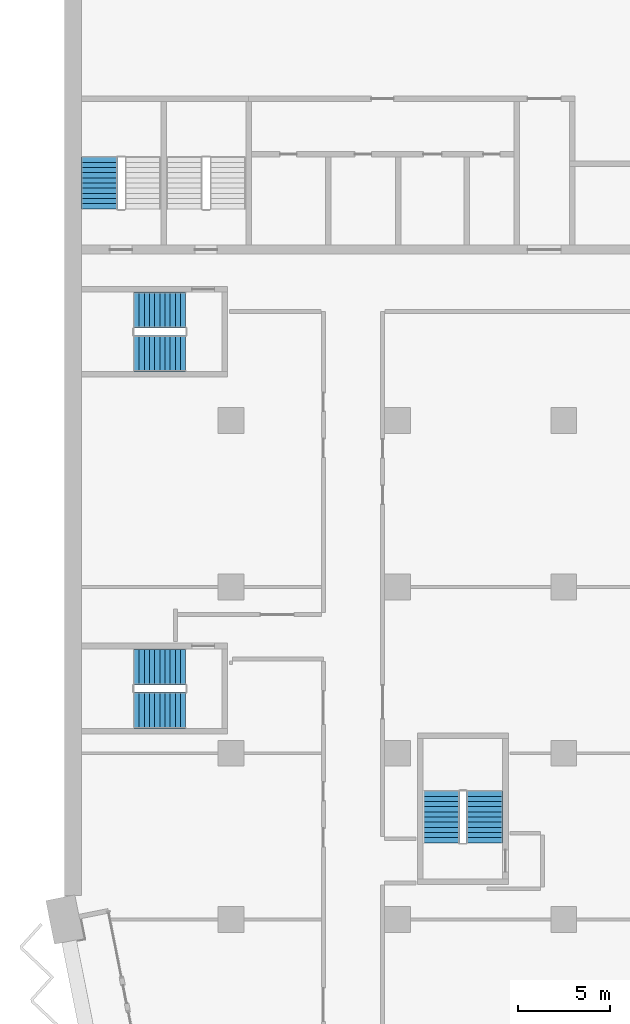
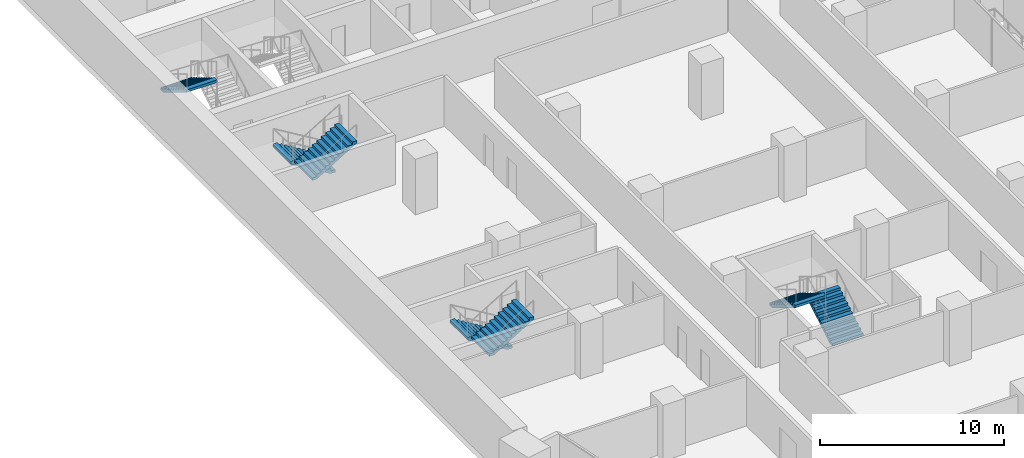
# One storey, part 19 of 28: 7 stair flights, 4 elements without a shape of their own.
"""IFC4 building model written with IfcOpenShell, lengths in metres."""

from ifc_helpers import new_model, si_unit, direction, frame, origin, place, context, subcontext, project, spatial, polyline, outline, extrude, material, type_object, element, aggregate, save


model = new_model("IFC4")

# Units and contexts
model_context = context("Model", 3, precision=1e-05, world=origin(), true_north=direction((0.0, 1.0)))
body_context = subcontext(model_context, "Body", "Model", "MODEL_VIEW")
ifc_project = project(units=[si_unit("LENGTHUNIT", "METRE"), si_unit("AREAUNIT", "SQUARE_METRE"), si_unit("VOLUMEUNIT", "CUBIC_METRE"), si_unit("PLANEANGLEUNIT", "RADIAN"), si_unit("MASSUNIT", "GRAM", prefix="KILO")], contexts=[model_context])

# Site, building, storey
site_placement = place(None, origin())
site = spatial("IfcSite", under=ifc_project, at=site_placement, CompositionType="ELEMENT")
building_placement = place(site_placement, origin())
building = spatial("IfcBuilding", under=site, at=building_placement, Name="Hunhe Ridgeline Campus", CompositionType="ELEMENT")
storey_placement = place(building_placement, frame((0.0, 0.0, 43.199951171875)))
storey = spatial("IfcBuildingStorey", under=building, at=storey_placement, Name="L09", CompositionType="ELEMENT", Elevation=43.199951171875)

# Stair, stair flight
ifc_material = material(Name="Concrete C40", Category="concrete")
stair_type = type_object("IfcStairType", Name="Reinforced concrete dog-leg stair 1950 Concrete C40", PredefinedType="HALF_TURN_STAIR", material=ifc_material)
stair_1_placement = place(storey_placement, origin())
stair_1 = element("IfcStair", 1, at=stair_1_placement, inside=storey, type_object=stair_type, Name="L09 S3", PredefinedType="HALF_TURN_STAIR")
stair_flight_type = type_object("IfcStairFlightType", Name="Reinforced concrete stair flight 1950 Concrete C40", PredefinedType="STRAIGHT", material=ifc_material)
stair_flight_1_placement = place(storey_placement, frame((1.875, 68.25, 1.85009765625), z_axis=(0.0, 0.0, 1.0), x_axis=(0.0, -1.0, 0.0)))
stair_flight_1 = element("IfcStairFlight", 2, at=stair_flight_1_placement, type_object=stair_flight_type, Name="ST3 flight 2", NumberOfRisers=11, NumberOfTreads=10, PredefinedType="STRAIGHT", RiserHeight=0.168181818, TreadLength=0.28, context=body_context, shape_type="SweptSolid", body=[
    extrude(outline(polyline([(0.0, 0.0), (0.0, 0.168212890625), (0.280029296875, 0.168212890625), (0.280029296875, 0.33642578125), (0.56005859375, 0.33642578125), (0.56005859375, 0.504638671875), (0.840087890625, 0.504638671875), (0.840087890625, 0.672607421875), (1.1201171875, 0.672607421875), (1.1201171875, 0.8408203125), (1.39990234375, 0.8408203125), (1.39990234375, 1.009033203125), (1.679931640625, 1.009033203125), (1.679931640625, 1.17724609375), (1.9599609375, 1.17724609375), (1.9599609375, 1.345458984375), (2.239990234375, 1.345458984375), (2.239990234375, 1.513671875), (2.52001953125, 1.513671875), (2.52001953125, 1.681884765625), (2.800048828125, 1.681884765625), (2.800048828125, 1.85009765625), (2.800048828125, 1.5068359375), (0.291015625, 0.0), (0.0, 0.0)])), frame((0.0, 0.97509765625, 0.0), z_axis=(0.0, -1.0, 0.0), x_axis=(1.0, 0.0, 0.0)), (0.0, 0.0, 1.0), 1.949951171875),
    extrude(outline(polyline([(0.030029296875, 0.030029296875), (0.030029296875, 0.13818359375), (0.31005859375, 0.13818359375), (0.31005859375, 0.306396484375), (0.590087890625, 0.306396484375), (0.590087890625, 0.474609375), (0.8701171875, 0.474609375), (0.8701171875, 0.642578125), (1.14990234375, 0.642578125), (1.14990234375, 0.810791015625), (1.429931640625, 0.810791015625), (1.429931640625, 0.97900390625), (1.7099609375, 0.97900390625), (1.7099609375, 1.147216796875), (1.989990234375, 1.147216796875), (1.989990234375, 1.3154296875), (2.27001953125, 1.3154296875), (2.27001953125, 1.483642578125), (2.550048828125, 1.483642578125), (2.550048828125, 1.65185546875), (2.77001953125, 1.65185546875), (2.77001953125, 1.52392578125), (0.28271484375, 0.030029296875), (0.030029296875, 0.030029296875)])), frame((0.0, -0.070068359375, 0.0), z_axis=(0.0, -1.0, 0.0), x_axis=(1.0, 0.0, 0.0)), (0.0, 0.0, 1.0), 0.019775390625),
    extrude(outline(polyline([(0.030029296875, 0.030029296875), (0.030029296875, 0.13818359375), (0.31005859375, 0.13818359375), (0.31005859375, 0.306396484375), (0.590087890625, 0.306396484375), (0.590087890625, 0.474609375), (0.8701171875, 0.474609375), (0.8701171875, 0.642578125), (1.14990234375, 0.642578125), (1.14990234375, 0.810791015625), (1.429931640625, 0.810791015625), (1.429931640625, 0.97900390625), (1.7099609375, 0.97900390625), (1.7099609375, 1.147216796875), (1.989990234375, 1.147216796875), (1.989990234375, 1.3154296875), (2.27001953125, 1.3154296875), (2.27001953125, 1.483642578125), (2.550048828125, 1.483642578125), (2.550048828125, 1.65185546875), (2.77001953125, 1.65185546875), (2.77001953125, 1.52392578125), (0.28271484375, 0.030029296875), (0.030029296875, 0.030029296875)])), frame((0.0, 0.010009765625, 0.0), z_axis=(0.0, -1.0, 0.0), x_axis=(1.0, 0.0, 0.0)), (0.0, 0.0, 1.0), 0.019775390625),
    extrude(outline(polyline([(0.030029296875, 0.030029296875), (0.030029296875, 0.13818359375), (0.31005859375, 0.13818359375), (0.31005859375, 0.306396484375), (0.590087890625, 0.306396484375), (0.590087890625, 0.474609375), (0.8701171875, 0.474609375), (0.8701171875, 0.642578125), (1.14990234375, 0.642578125), (1.14990234375, 0.810791015625), (1.429931640625, 0.810791015625), (1.429931640625, 0.97900390625), (1.7099609375, 0.97900390625), (1.7099609375, 1.147216796875), (1.989990234375, 1.147216796875), (1.989990234375, 1.3154296875), (2.27001953125, 1.3154296875), (2.27001953125, 1.483642578125), (2.550048828125, 1.483642578125), (2.550048828125, 1.65185546875), (2.77001953125, 1.65185546875), (2.77001953125, 1.52392578125), (0.28271484375, 0.030029296875), (0.030029296875, 0.030029296875)])), frame((0.0, 0.090087890625, 0.0), z_axis=(0.0, -1.0, 0.0), x_axis=(1.0, 0.0, 0.0)), (0.0, 0.0, 1.0), 0.019775390625),
])
aggregate(stair_1, [stair_flight_1])

# Stair, stair flights
stair_2_placement = place(storey_placement, origin())
stair_2 = element("IfcStair", 3, at=stair_2_placement, inside=storey, type_object=stair_type, Name="L09 W3", PredefinedType="HALF_TURN_STAIR")
stair_flight_2_placement = place(storey_placement, frame((22.72509765625, 31.14990234375, 0.0), z_axis=(0.0, 0.0, 1.0), x_axis=(0.0, 1.0, 0.0)))
stair_flight_2 = element("IfcStairFlight", 4, at=stair_flight_2_placement, type_object=stair_flight_type, Name="ST9 flight 1", NumberOfRisers=11, NumberOfTreads=10, PredefinedType="STRAIGHT", RiserHeight=0.168181818, TreadLength=0.28, context=body_context, shape_type="SweptSolid", body=[
    extrude(outline(polyline([(0.0, 0.0), (0.0, 0.168212890625), (0.280029296875, 0.168212890625), (0.280029296875, 0.33642578125), (0.56005859375, 0.33642578125), (0.56005859375, 0.504638671875), (0.840087890625, 0.504638671875), (0.840087890625, 0.672607421875), (1.1201171875, 0.672607421875), (1.1201171875, 0.8408203125), (1.39990234375, 0.8408203125), (1.39990234375, 1.009033203125), (1.679931640625, 1.009033203125), (1.679931640625, 1.17724609375), (1.9599609375, 1.17724609375), (1.9599609375, 1.345458984375), (2.239990234375, 1.345458984375), (2.239990234375, 1.513671875), (2.52001953125, 1.513671875), (2.52001953125, 1.681884765625), (2.800048828125, 1.681884765625), (2.800048828125, 1.85009765625), (2.800048828125, 1.5068359375), (0.291015625, 0.0), (0.0, 0.0)])), frame((0.0, 0.97509765625, 0.0), z_axis=(0.0, -1.0, 0.0), x_axis=(1.0, 0.0, 0.0)), (0.0, 0.0, 1.0), 1.949951171875),
    extrude(outline(polyline([(0.030029296875, 0.030029296875), (0.030029296875, 0.13818359375), (0.31005859375, 0.13818359375), (0.31005859375, 0.306396484375), (0.590087890625, 0.306396484375), (0.590087890625, 0.474609375), (0.8701171875, 0.474609375), (0.8701171875, 0.642578125), (1.14990234375, 0.642578125), (1.14990234375, 0.810791015625), (1.429931640625, 0.810791015625), (1.429931640625, 0.97900390625), (1.7099609375, 0.97900390625), (1.7099609375, 1.147216796875), (1.989990234375, 1.147216796875), (1.989990234375, 1.3154296875), (2.27001953125, 1.3154296875), (2.27001953125, 1.483642578125), (2.550048828125, 1.483642578125), (2.550048828125, 1.65185546875), (2.77001953125, 1.65185546875), (2.77001953125, 1.52392578125), (0.28271484375, 0.030029296875), (0.030029296875, 0.030029296875)])), frame((0.0, -0.070068359375, 0.0), z_axis=(0.0, -1.0, 0.0), x_axis=(1.0, 0.0, 0.0)), (0.0, 0.0, 1.0), 0.019775390625),
    extrude(outline(polyline([(0.030029296875, 0.030029296875), (0.030029296875, 0.13818359375), (0.31005859375, 0.13818359375), (0.31005859375, 0.306396484375), (0.590087890625, 0.306396484375), (0.590087890625, 0.474609375), (0.8701171875, 0.474609375), (0.8701171875, 0.642578125), (1.14990234375, 0.642578125), (1.14990234375, 0.810791015625), (1.429931640625, 0.810791015625), (1.429931640625, 0.97900390625), (1.7099609375, 0.97900390625), (1.7099609375, 1.147216796875), (1.989990234375, 1.147216796875), (1.989990234375, 1.3154296875), (2.27001953125, 1.3154296875), (2.27001953125, 1.483642578125), (2.550048828125, 1.483642578125), (2.550048828125, 1.65185546875), (2.77001953125, 1.65185546875), (2.77001953125, 1.52392578125), (0.28271484375, 0.030029296875), (0.030029296875, 0.030029296875)])), frame((0.0, 0.010009765625, 0.0), z_axis=(0.0, -1.0, 0.0), x_axis=(1.0, 0.0, 0.0)), (0.0, 0.0, 1.0), 0.019775390625),
    extrude(outline(polyline([(0.030029296875, 0.030029296875), (0.030029296875, 0.13818359375), (0.31005859375, 0.13818359375), (0.31005859375, 0.306396484375), (0.590087890625, 0.306396484375), (0.590087890625, 0.474609375), (0.8701171875, 0.474609375), (0.8701171875, 0.642578125), (1.14990234375, 0.642578125), (1.14990234375, 0.810791015625), (1.429931640625, 0.810791015625), (1.429931640625, 0.97900390625), (1.7099609375, 0.97900390625), (1.7099609375, 1.147216796875), (1.989990234375, 1.147216796875), (1.989990234375, 1.3154296875), (2.27001953125, 1.3154296875), (2.27001953125, 1.483642578125), (2.550048828125, 1.483642578125), (2.550048828125, 1.65185546875), (2.77001953125, 1.65185546875), (2.77001953125, 1.52392578125), (0.28271484375, 0.030029296875), (0.030029296875, 0.030029296875)])), frame((0.0, 0.090087890625, 0.0), z_axis=(0.0, -1.0, 0.0), x_axis=(1.0, 0.0, 0.0)), (0.0, 0.0, 1.0), 0.019775390625),
])
stair_flight_3_placement = place(storey_placement, frame((20.375, 33.949951171875, 1.85009765625), z_axis=(0.0, 0.0, 1.0), x_axis=(0.0, -1.0, 0.0)))
stair_flight_3 = element("IfcStairFlight", 5, at=stair_flight_3_placement, type_object=stair_flight_type, Name="ST9 flight 2", NumberOfRisers=11, NumberOfTreads=10, PredefinedType="STRAIGHT", RiserHeight=0.168181818, TreadLength=0.28, context=body_context, shape_type="SweptSolid", body=[
    extrude(outline(polyline([(0.0, 0.0), (0.0, 0.168212890625), (0.280029296875, 0.168212890625), (0.280029296875, 0.33642578125), (0.56005859375, 0.33642578125), (0.56005859375, 0.504638671875), (0.840087890625, 0.504638671875), (0.840087890625, 0.672607421875), (1.1201171875, 0.672607421875), (1.1201171875, 0.8408203125), (1.39990234375, 0.8408203125), (1.39990234375, 1.009033203125), (1.679931640625, 1.009033203125), (1.679931640625, 1.17724609375), (1.9599609375, 1.17724609375), (1.9599609375, 1.345458984375), (2.239990234375, 1.345458984375), (2.239990234375, 1.513671875), (2.52001953125, 1.513671875), (2.52001953125, 1.681884765625), (2.800048828125, 1.681884765625), (2.800048828125, 1.85009765625), (2.800048828125, 1.5068359375), (0.291015625, 0.0), (0.0, 0.0)])), frame((0.0, 0.97509765625, 0.0), z_axis=(0.0, -1.0, 0.0), x_axis=(1.0, 0.0, 0.0)), (0.0, 0.0, 1.0), 1.949951171875),
    extrude(outline(polyline([(0.030029296875, 0.030029296875), (0.030029296875, 0.13818359375), (0.31005859375, 0.13818359375), (0.31005859375, 0.306396484375), (0.590087890625, 0.306396484375), (0.590087890625, 0.474609375), (0.8701171875, 0.474609375), (0.8701171875, 0.642578125), (1.14990234375, 0.642578125), (1.14990234375, 0.810791015625), (1.429931640625, 0.810791015625), (1.429931640625, 0.97900390625), (1.7099609375, 0.97900390625), (1.7099609375, 1.147216796875), (1.989990234375, 1.147216796875), (1.989990234375, 1.3154296875), (2.27001953125, 1.3154296875), (2.27001953125, 1.483642578125), (2.550048828125, 1.483642578125), (2.550048828125, 1.65185546875), (2.77001953125, 1.65185546875), (2.77001953125, 1.52392578125), (0.28271484375, 0.030029296875), (0.030029296875, 0.030029296875)])), frame((0.0, -0.070068359375, 0.0), z_axis=(0.0, -1.0, 0.0), x_axis=(1.0, 0.0, 0.0)), (0.0, 0.0, 1.0), 0.019775390625),
    extrude(outline(polyline([(0.030029296875, 0.030029296875), (0.030029296875, 0.13818359375), (0.31005859375, 0.13818359375), (0.31005859375, 0.306396484375), (0.590087890625, 0.306396484375), (0.590087890625, 0.474609375), (0.8701171875, 0.474609375), (0.8701171875, 0.642578125), (1.14990234375, 0.642578125), (1.14990234375, 0.810791015625), (1.429931640625, 0.810791015625), (1.429931640625, 0.97900390625), (1.7099609375, 0.97900390625), (1.7099609375, 1.147216796875), (1.989990234375, 1.147216796875), (1.989990234375, 1.3154296875), (2.27001953125, 1.3154296875), (2.27001953125, 1.483642578125), (2.550048828125, 1.483642578125), (2.550048828125, 1.65185546875), (2.77001953125, 1.65185546875), (2.77001953125, 1.52392578125), (0.28271484375, 0.030029296875), (0.030029296875, 0.030029296875)])), frame((0.0, 0.010009765625, 0.0), z_axis=(0.0, -1.0, 0.0), x_axis=(1.0, 0.0, 0.0)), (0.0, 0.0, 1.0), 0.019775390625),
    extrude(outline(polyline([(0.030029296875, 0.030029296875), (0.030029296875, 0.13818359375), (0.31005859375, 0.13818359375), (0.31005859375, 0.306396484375), (0.590087890625, 0.306396484375), (0.590087890625, 0.474609375), (0.8701171875, 0.474609375), (0.8701171875, 0.642578125), (1.14990234375, 0.642578125), (1.14990234375, 0.810791015625), (1.429931640625, 0.810791015625), (1.429931640625, 0.97900390625), (1.7099609375, 0.97900390625), (1.7099609375, 1.147216796875), (1.989990234375, 1.147216796875), (1.989990234375, 1.3154296875), (2.27001953125, 1.3154296875), (2.27001953125, 1.483642578125), (2.550048828125, 1.483642578125), (2.550048828125, 1.65185546875), (2.77001953125, 1.65185546875), (2.77001953125, 1.52392578125), (0.28271484375, 0.030029296875), (0.030029296875, 0.030029296875)])), frame((0.0, 0.090087890625, 0.0), z_axis=(0.0, -1.0, 0.0), x_axis=(1.0, 0.0, 0.0)), (0.0, 0.0, 1.0), 0.019775390625),
])
aggregate(stair_2, [stair_flight_2, stair_flight_3])

stair_3_placement = place(storey_placement, origin())
stair_3 = element("IfcStair", 6, at=stair_3_placement, inside=storey, type_object=stair_type, Name="L09 W1", PredefinedType="HALF_TURN_STAIR")
stair_flight_4_placement = place(storey_placement, frame((6.550048828125, 40.675048828125, 0.0), z_axis=(0.0, 0.0, 1.0), x_axis=(-1.0, 0.0, 0.0)))
stair_flight_4 = element("IfcStairFlight", 7, at=stair_flight_4_placement, type_object=stair_flight_type, Name="ST11 flight 1", NumberOfRisers=11, NumberOfTreads=10, PredefinedType="STRAIGHT", RiserHeight=0.168181818, TreadLength=0.28, context=body_context, shape_type="SweptSolid", body=[
    extrude(outline(polyline([(0.0, 0.0), (0.0, 0.168212890625), (0.280029296875, 0.168212890625), (0.280029296875, 0.33642578125), (0.56005859375, 0.33642578125), (0.56005859375, 0.504638671875), (0.840087890625, 0.504638671875), (0.840087890625, 0.672607421875), (1.1201171875, 0.672607421875), (1.1201171875, 0.8408203125), (1.39990234375, 0.8408203125), (1.39990234375, 1.009033203125), (1.679931640625, 1.009033203125), (1.679931640625, 1.17724609375), (1.9599609375, 1.17724609375), (1.9599609375, 1.345458984375), (2.239990234375, 1.345458984375), (2.239990234375, 1.513671875), (2.52001953125, 1.513671875), (2.52001953125, 1.681884765625), (2.800048828125, 1.681884765625), (2.800048828125, 1.85009765625), (2.800048828125, 1.5068359375), (0.291015625, 0.0), (0.0, 0.0)])), frame((0.0, 0.97509765625, 0.0), z_axis=(0.0, -1.0, 0.0), x_axis=(1.0, 0.0, 0.0)), (0.0, 0.0, 1.0), 1.949951171875),
    extrude(outline(polyline([(0.030029296875, 0.030029296875), (0.030029296875, 0.13818359375), (0.31005859375, 0.13818359375), (0.31005859375, 0.306396484375), (0.590087890625, 0.306396484375), (0.590087890625, 0.474609375), (0.8701171875, 0.474609375), (0.8701171875, 0.642578125), (1.14990234375, 0.642578125), (1.14990234375, 0.810791015625), (1.429931640625, 0.810791015625), (1.429931640625, 0.97900390625), (1.7099609375, 0.97900390625), (1.7099609375, 1.147216796875), (1.989990234375, 1.147216796875), (1.989990234375, 1.3154296875), (2.27001953125, 1.3154296875), (2.27001953125, 1.483642578125), (2.550048828125, 1.483642578125), (2.550048828125, 1.65185546875), (2.77001953125, 1.65185546875), (2.77001953125, 1.52392578125), (0.28271484375, 0.030029296875), (0.030029296875, 0.030029296875)])), frame((0.0, -0.070068359375, 0.0), z_axis=(0.0, -1.0, 0.0), x_axis=(1.0, 0.0, 0.0)), (0.0, 0.0, 1.0), 0.019775390625),
    extrude(outline(polyline([(0.030029296875, 0.030029296875), (0.030029296875, 0.13818359375), (0.31005859375, 0.13818359375), (0.31005859375, 0.306396484375), (0.590087890625, 0.306396484375), (0.590087890625, 0.474609375), (0.8701171875, 0.474609375), (0.8701171875, 0.642578125), (1.14990234375, 0.642578125), (1.14990234375, 0.810791015625), (1.429931640625, 0.810791015625), (1.429931640625, 0.97900390625), (1.7099609375, 0.97900390625), (1.7099609375, 1.147216796875), (1.989990234375, 1.147216796875), (1.989990234375, 1.3154296875), (2.27001953125, 1.3154296875), (2.27001953125, 1.483642578125), (2.550048828125, 1.483642578125), (2.550048828125, 1.65185546875), (2.77001953125, 1.65185546875), (2.77001953125, 1.52392578125), (0.28271484375, 0.030029296875), (0.030029296875, 0.030029296875)])), frame((0.0, 0.010009765625, 0.0), z_axis=(0.0, -1.0, 0.0), x_axis=(1.0, 0.0, 0.0)), (0.0, 0.0, 1.0), 0.019775390625),
    extrude(outline(polyline([(0.030029296875, 0.030029296875), (0.030029296875, 0.13818359375), (0.31005859375, 0.13818359375), (0.31005859375, 0.306396484375), (0.590087890625, 0.306396484375), (0.590087890625, 0.474609375), (0.8701171875, 0.474609375), (0.8701171875, 0.642578125), (1.14990234375, 0.642578125), (1.14990234375, 0.810791015625), (1.429931640625, 0.810791015625), (1.429931640625, 0.97900390625), (1.7099609375, 0.97900390625), (1.7099609375, 1.147216796875), (1.989990234375, 1.147216796875), (1.989990234375, 1.3154296875), (2.27001953125, 1.3154296875), (2.27001953125, 1.483642578125), (2.550048828125, 1.483642578125), (2.550048828125, 1.65185546875), (2.77001953125, 1.65185546875), (2.77001953125, 1.52392578125), (0.28271484375, 0.030029296875), (0.030029296875, 0.030029296875)])), frame((0.0, 0.090087890625, 0.0), z_axis=(0.0, -1.0, 0.0), x_axis=(1.0, 0.0, 0.0)), (0.0, 0.0, 1.0), 0.019775390625),
])
stair_flight_5_placement = place(storey_placement, frame((3.75, 38.324951171875, 1.85009765625), z_axis=(0.0, 0.0, 1.0), x_axis=(1.0, 0.0, 0.0)))
stair_flight_5 = element("IfcStairFlight", 8, at=stair_flight_5_placement, type_object=stair_flight_type, Name="ST11 flight 2", NumberOfRisers=11, NumberOfTreads=10, PredefinedType="STRAIGHT", RiserHeight=0.168181818, TreadLength=0.28, context=body_context, shape_type="SweptSolid", body=[
    extrude(outline(polyline([(0.0, 0.0), (0.0, 0.168212890625), (0.280029296875, 0.168212890625), (0.280029296875, 0.33642578125), (0.56005859375, 0.33642578125), (0.56005859375, 0.504638671875), (0.840087890625, 0.504638671875), (0.840087890625, 0.672607421875), (1.1201171875, 0.672607421875), (1.1201171875, 0.8408203125), (1.39990234375, 0.8408203125), (1.39990234375, 1.009033203125), (1.679931640625, 1.009033203125), (1.679931640625, 1.17724609375), (1.9599609375, 1.17724609375), (1.9599609375, 1.345458984375), (2.239990234375, 1.345458984375), (2.239990234375, 1.513671875), (2.52001953125, 1.513671875), (2.52001953125, 1.681884765625), (2.800048828125, 1.681884765625), (2.800048828125, 1.85009765625), (2.800048828125, 1.5068359375), (0.291015625, 0.0), (0.0, 0.0)])), frame((0.0, 0.97509765625, 0.0), z_axis=(0.0, -1.0, 0.0), x_axis=(1.0, 0.0, 0.0)), (0.0, 0.0, 1.0), 1.949951171875),
    extrude(outline(polyline([(0.030029296875, 0.030029296875), (0.030029296875, 0.13818359375), (0.31005859375, 0.13818359375), (0.31005859375, 0.306396484375), (0.590087890625, 0.306396484375), (0.590087890625, 0.474609375), (0.8701171875, 0.474609375), (0.8701171875, 0.642578125), (1.14990234375, 0.642578125), (1.14990234375, 0.810791015625), (1.429931640625, 0.810791015625), (1.429931640625, 0.97900390625), (1.7099609375, 0.97900390625), (1.7099609375, 1.147216796875), (1.989990234375, 1.147216796875), (1.989990234375, 1.3154296875), (2.27001953125, 1.3154296875), (2.27001953125, 1.483642578125), (2.550048828125, 1.483642578125), (2.550048828125, 1.65185546875), (2.77001953125, 1.65185546875), (2.77001953125, 1.52392578125), (0.28271484375, 0.030029296875), (0.030029296875, 0.030029296875)])), frame((0.0, -0.070068359375, 0.0), z_axis=(0.0, -1.0, 0.0), x_axis=(1.0, 0.0, 0.0)), (0.0, 0.0, 1.0), 0.019775390625),
    extrude(outline(polyline([(0.030029296875, 0.030029296875), (0.030029296875, 0.13818359375), (0.31005859375, 0.13818359375), (0.31005859375, 0.306396484375), (0.590087890625, 0.306396484375), (0.590087890625, 0.474609375), (0.8701171875, 0.474609375), (0.8701171875, 0.642578125), (1.14990234375, 0.642578125), (1.14990234375, 0.810791015625), (1.429931640625, 0.810791015625), (1.429931640625, 0.97900390625), (1.7099609375, 0.97900390625), (1.7099609375, 1.147216796875), (1.989990234375, 1.147216796875), (1.989990234375, 1.3154296875), (2.27001953125, 1.3154296875), (2.27001953125, 1.483642578125), (2.550048828125, 1.483642578125), (2.550048828125, 1.65185546875), (2.77001953125, 1.65185546875), (2.77001953125, 1.52392578125), (0.28271484375, 0.030029296875), (0.030029296875, 0.030029296875)])), frame((0.0, 0.010009765625, 0.0), z_axis=(0.0, -1.0, 0.0), x_axis=(1.0, 0.0, 0.0)), (0.0, 0.0, 1.0), 0.019775390625),
    extrude(outline(polyline([(0.030029296875, 0.030029296875), (0.030029296875, 0.13818359375), (0.31005859375, 0.13818359375), (0.31005859375, 0.306396484375), (0.590087890625, 0.306396484375), (0.590087890625, 0.474609375), (0.8701171875, 0.474609375), (0.8701171875, 0.642578125), (1.14990234375, 0.642578125), (1.14990234375, 0.810791015625), (1.429931640625, 0.810791015625), (1.429931640625, 0.97900390625), (1.7099609375, 0.97900390625), (1.7099609375, 1.147216796875), (1.989990234375, 1.147216796875), (1.989990234375, 1.3154296875), (2.27001953125, 1.3154296875), (2.27001953125, 1.483642578125), (2.550048828125, 1.483642578125), (2.550048828125, 1.65185546875), (2.77001953125, 1.65185546875), (2.77001953125, 1.52392578125), (0.28271484375, 0.030029296875), (0.030029296875, 0.030029296875)])), frame((0.0, 0.090087890625, 0.0), z_axis=(0.0, -1.0, 0.0), x_axis=(1.0, 0.0, 0.0)), (0.0, 0.0, 1.0), 0.019775390625),
])
aggregate(stair_3, [stair_flight_4, stair_flight_5])

stair_4_placement = place(storey_placement, origin())
stair_4 = element("IfcStair", 9, at=stair_4_placement, inside=storey, type_object=stair_type, Name="L09 W2", PredefinedType="HALF_TURN_STAIR")
stair_flight_6_placement = place(storey_placement, frame((6.550048828125, 59.97509765625, 0.0), z_axis=(0.0, 0.0, 1.0), x_axis=(-1.0, 0.0, 0.0)))
stair_flight_6 = element("IfcStairFlight", 10, at=stair_flight_6_placement, type_object=stair_flight_type, Name="ST12 flight 1", NumberOfRisers=11, NumberOfTreads=10, PredefinedType="STRAIGHT", RiserHeight=0.168181818, TreadLength=0.28, context=body_context, shape_type="SweptSolid", body=[
    extrude(outline(polyline([(0.0, 0.0), (0.0, 0.168212890625), (0.280029296875, 0.168212890625), (0.280029296875, 0.33642578125), (0.56005859375, 0.33642578125), (0.56005859375, 0.504638671875), (0.840087890625, 0.504638671875), (0.840087890625, 0.672607421875), (1.1201171875, 0.672607421875), (1.1201171875, 0.8408203125), (1.39990234375, 0.8408203125), (1.39990234375, 1.009033203125), (1.679931640625, 1.009033203125), (1.679931640625, 1.17724609375), (1.9599609375, 1.17724609375), (1.9599609375, 1.345458984375), (2.239990234375, 1.345458984375), (2.239990234375, 1.513671875), (2.52001953125, 1.513671875), (2.52001953125, 1.681884765625), (2.800048828125, 1.681884765625), (2.800048828125, 1.85009765625), (2.800048828125, 1.5068359375), (0.291015625, 0.0), (0.0, 0.0)])), frame((0.0, 0.97509765625, 0.0), z_axis=(0.0, -1.0, 0.0), x_axis=(1.0, 0.0, 0.0)), (0.0, 0.0, 1.0), 1.949951171875),
    extrude(outline(polyline([(0.030029296875, 0.030029296875), (0.030029296875, 0.13818359375), (0.31005859375, 0.13818359375), (0.31005859375, 0.306396484375), (0.590087890625, 0.306396484375), (0.590087890625, 0.474609375), (0.8701171875, 0.474609375), (0.8701171875, 0.642578125), (1.14990234375, 0.642578125), (1.14990234375, 0.810791015625), (1.429931640625, 0.810791015625), (1.429931640625, 0.97900390625), (1.7099609375, 0.97900390625), (1.7099609375, 1.147216796875), (1.989990234375, 1.147216796875), (1.989990234375, 1.3154296875), (2.27001953125, 1.3154296875), (2.27001953125, 1.483642578125), (2.550048828125, 1.483642578125), (2.550048828125, 1.65185546875), (2.77001953125, 1.65185546875), (2.77001953125, 1.52392578125), (0.28271484375, 0.030029296875), (0.030029296875, 0.030029296875)])), frame((0.0, -0.070068359375, 0.0), z_axis=(0.0, -1.0, 0.0), x_axis=(1.0, 0.0, 0.0)), (0.0, 0.0, 1.0), 0.019775390625),
    extrude(outline(polyline([(0.030029296875, 0.030029296875), (0.030029296875, 0.13818359375), (0.31005859375, 0.13818359375), (0.31005859375, 0.306396484375), (0.590087890625, 0.306396484375), (0.590087890625, 0.474609375), (0.8701171875, 0.474609375), (0.8701171875, 0.642578125), (1.14990234375, 0.642578125), (1.14990234375, 0.810791015625), (1.429931640625, 0.810791015625), (1.429931640625, 0.97900390625), (1.7099609375, 0.97900390625), (1.7099609375, 1.147216796875), (1.989990234375, 1.147216796875), (1.989990234375, 1.3154296875), (2.27001953125, 1.3154296875), (2.27001953125, 1.483642578125), (2.550048828125, 1.483642578125), (2.550048828125, 1.65185546875), (2.77001953125, 1.65185546875), (2.77001953125, 1.52392578125), (0.28271484375, 0.030029296875), (0.030029296875, 0.030029296875)])), frame((0.0, 0.010009765625, 0.0), z_axis=(0.0, -1.0, 0.0), x_axis=(1.0, 0.0, 0.0)), (0.0, 0.0, 1.0), 0.019775390625),
    extrude(outline(polyline([(0.030029296875, 0.030029296875), (0.030029296875, 0.13818359375), (0.31005859375, 0.13818359375), (0.31005859375, 0.306396484375), (0.590087890625, 0.306396484375), (0.590087890625, 0.474609375), (0.8701171875, 0.474609375), (0.8701171875, 0.642578125), (1.14990234375, 0.642578125), (1.14990234375, 0.810791015625), (1.429931640625, 0.810791015625), (1.429931640625, 0.97900390625), (1.7099609375, 0.97900390625), (1.7099609375, 1.147216796875), (1.989990234375, 1.147216796875), (1.989990234375, 1.3154296875), (2.27001953125, 1.3154296875), (2.27001953125, 1.483642578125), (2.550048828125, 1.483642578125), (2.550048828125, 1.65185546875), (2.77001953125, 1.65185546875), (2.77001953125, 1.52392578125), (0.28271484375, 0.030029296875), (0.030029296875, 0.030029296875)])), frame((0.0, 0.090087890625, 0.0), z_axis=(0.0, -1.0, 0.0), x_axis=(1.0, 0.0, 0.0)), (0.0, 0.0, 1.0), 0.019775390625),
])
stair_flight_7_placement = place(storey_placement, frame((3.75, 57.625, 1.85009765625), z_axis=(0.0, 0.0, 1.0), x_axis=(1.0, 0.0, 0.0)))
stair_flight_7 = element("IfcStairFlight", 11, at=stair_flight_7_placement, type_object=stair_flight_type, Name="ST12 flight 2", NumberOfRisers=11, NumberOfTreads=10, PredefinedType="STRAIGHT", RiserHeight=0.168181818, TreadLength=0.28, context=body_context, shape_type="SweptSolid", body=[
    extrude(outline(polyline([(0.0, 0.0), (0.0, 0.168212890625), (0.280029296875, 0.168212890625), (0.280029296875, 0.33642578125), (0.56005859375, 0.33642578125), (0.56005859375, 0.504638671875), (0.840087890625, 0.504638671875), (0.840087890625, 0.672607421875), (1.1201171875, 0.672607421875), (1.1201171875, 0.8408203125), (1.39990234375, 0.8408203125), (1.39990234375, 1.009033203125), (1.679931640625, 1.009033203125), (1.679931640625, 1.17724609375), (1.9599609375, 1.17724609375), (1.9599609375, 1.345458984375), (2.239990234375, 1.345458984375), (2.239990234375, 1.513671875), (2.52001953125, 1.513671875), (2.52001953125, 1.681884765625), (2.800048828125, 1.681884765625), (2.800048828125, 1.85009765625), (2.800048828125, 1.5068359375), (0.291015625, 0.0), (0.0, 0.0)])), frame((0.0, 0.97509765625, 0.0), z_axis=(0.0, -1.0, 0.0), x_axis=(1.0, 0.0, 0.0)), (0.0, 0.0, 1.0), 1.949951171875),
    extrude(outline(polyline([(0.030029296875, 0.030029296875), (0.030029296875, 0.13818359375), (0.31005859375, 0.13818359375), (0.31005859375, 0.306396484375), (0.590087890625, 0.306396484375), (0.590087890625, 0.474609375), (0.8701171875, 0.474609375), (0.8701171875, 0.642578125), (1.14990234375, 0.642578125), (1.14990234375, 0.810791015625), (1.429931640625, 0.810791015625), (1.429931640625, 0.97900390625), (1.7099609375, 0.97900390625), (1.7099609375, 1.147216796875), (1.989990234375, 1.147216796875), (1.989990234375, 1.3154296875), (2.27001953125, 1.3154296875), (2.27001953125, 1.483642578125), (2.550048828125, 1.483642578125), (2.550048828125, 1.65185546875), (2.77001953125, 1.65185546875), (2.77001953125, 1.52392578125), (0.28271484375, 0.030029296875), (0.030029296875, 0.030029296875)])), frame((0.0, -0.070068359375, 0.0), z_axis=(0.0, -1.0, 0.0), x_axis=(1.0, 0.0, 0.0)), (0.0, 0.0, 1.0), 0.019775390625),
    extrude(outline(polyline([(0.030029296875, 0.030029296875), (0.030029296875, 0.13818359375), (0.31005859375, 0.13818359375), (0.31005859375, 0.306396484375), (0.590087890625, 0.306396484375), (0.590087890625, 0.474609375), (0.8701171875, 0.474609375), (0.8701171875, 0.642578125), (1.14990234375, 0.642578125), (1.14990234375, 0.810791015625), (1.429931640625, 0.810791015625), (1.429931640625, 0.97900390625), (1.7099609375, 0.97900390625), (1.7099609375, 1.147216796875), (1.989990234375, 1.147216796875), (1.989990234375, 1.3154296875), (2.27001953125, 1.3154296875), (2.27001953125, 1.483642578125), (2.550048828125, 1.483642578125), (2.550048828125, 1.65185546875), (2.77001953125, 1.65185546875), (2.77001953125, 1.52392578125), (0.28271484375, 0.030029296875), (0.030029296875, 0.030029296875)])), frame((0.0, 0.010009765625, 0.0), z_axis=(0.0, -1.0, 0.0), x_axis=(1.0, 0.0, 0.0)), (0.0, 0.0, 1.0), 0.019775390625),
    extrude(outline(polyline([(0.030029296875, 0.030029296875), (0.030029296875, 0.13818359375), (0.31005859375, 0.13818359375), (0.31005859375, 0.306396484375), (0.590087890625, 0.306396484375), (0.590087890625, 0.474609375), (0.8701171875, 0.474609375), (0.8701171875, 0.642578125), (1.14990234375, 0.642578125), (1.14990234375, 0.810791015625), (1.429931640625, 0.810791015625), (1.429931640625, 0.97900390625), (1.7099609375, 0.97900390625), (1.7099609375, 1.147216796875), (1.989990234375, 1.147216796875), (1.989990234375, 1.3154296875), (2.27001953125, 1.3154296875), (2.27001953125, 1.483642578125), (2.550048828125, 1.483642578125), (2.550048828125, 1.65185546875), (2.77001953125, 1.65185546875), (2.77001953125, 1.52392578125), (0.28271484375, 0.030029296875), (0.030029296875, 0.030029296875)])), frame((0.0, 0.090087890625, 0.0), z_axis=(0.0, -1.0, 0.0), x_axis=(1.0, 0.0, 0.0)), (0.0, 0.0, 1.0), 0.019775390625),
])
aggregate(stair_4, [stair_flight_6, stair_flight_7])

save(model, "model.ifc")
